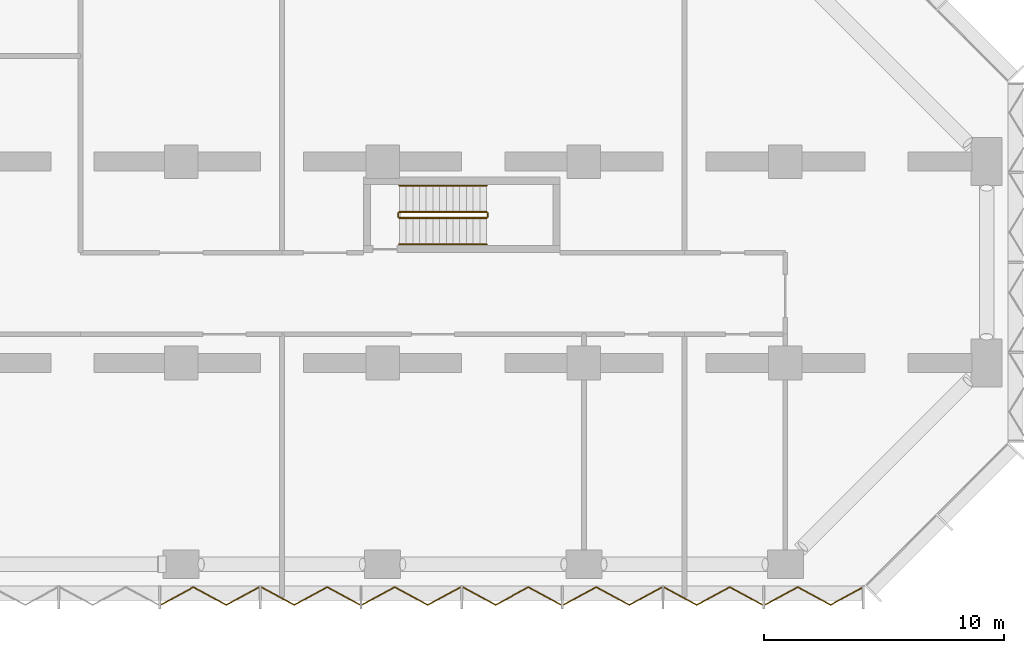
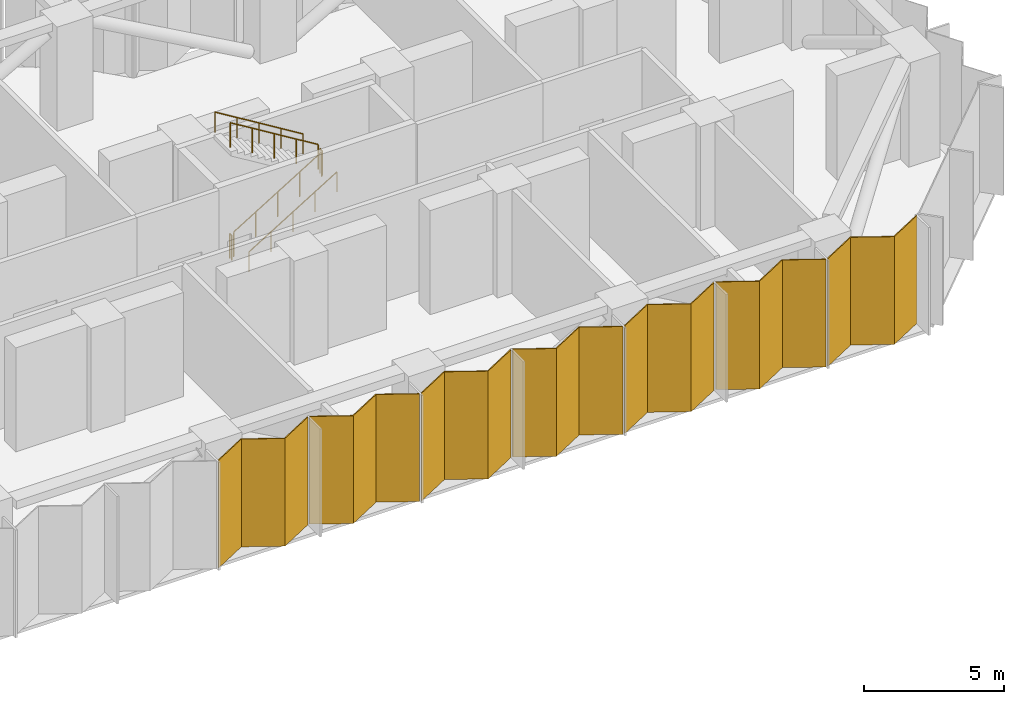
# One storey, part 17 of 18: 7 coverings, 6 railings, 1 element without a shape of its own.
"""IFC4 building model written with IfcOpenShell, lengths in metres."""

from ifc_helpers import new_model, si_unit, direction, frame, origin, origin_2d, place, context, subcontext, project, spatial, polyline, circle, outline, extrude, material, layer, layer_set, type_object, element, aggregate, save


model = new_model("IFC4")

# Units and contexts
model_context = context("Model", 3, precision=1e-05, world=origin(), true_north=direction((0.0, 1.0)))
body_context = subcontext(model_context, "Body", "Model", "MODEL_VIEW")
ifc_project = project(units=[si_unit("LENGTHUNIT", "METRE"), si_unit("AREAUNIT", "SQUARE_METRE"), si_unit("VOLUMEUNIT", "CUBIC_METRE"), si_unit("PLANEANGLEUNIT", "RADIAN"), si_unit("MASSUNIT", "GRAM", prefix="KILO")], contexts=[model_context])

# Site, building, storey
site_placement = place(None, origin())
site = spatial("IfcSite", under=ifc_project, at=site_placement, CompositionType="ELEMENT")
building_placement = place(site_placement, origin())
building = spatial("IfcBuilding", under=site, at=building_placement, Name="Brevane Broadcast Tower", CompositionType="ELEMENT")
storey_placement = place(building_placement, frame((0.0, 0.0, 86.89990234375)))
storey = spatial("IfcBuildingStorey", under=building, at=storey_placement, Name="L20", CompositionType="ELEMENT", Elevation=86.89990234375)

# Curtain wall, coverings
ifc_material_1 = material(Name="Aluminium 6063-T6 bronze anodised", Category="aluminium")
curtain_wall_type = type_object("IfcCurtainWallType", Name="CW-3 curtain wall", PredefinedType="NOTDEFINED", material=ifc_material_1)
curtain_wall_placement = place(storey_placement, origin())
curtain_wall = element("IfcCurtainWall", 1, at=curtain_wall_placement, inside=storey, type_object=curtain_wall_type, Name="CW-3 refuge louvre unit L20 south face", PredefinedType="NOTDEFINED")
ifc_material_2 = material(Name="Aluminium bronze anodised cladding", Category="aluminium")
ifc_layer = layer(ifc_material_2, 0.050048828125)
ifc_layer_set = layer_set([ifc_layer], Name="CW refuge spandrel 50")
covering_type = type_object("IfcCoveringType", Name="CW refuge spandrel 50", PredefinedType="CLADDING", material=ifc_layer_set)
covering_1_placement = place(storey_placement, frame((0.0, 0.0, -0.159912109375)))
covering_1 = element("IfcCovering", 2, at=covering_1_placement, type_object=covering_type, Name="Refuge cladding panel", PredefinedType="CLADDING", context=body_context, shape_type="SweptSolid", body=[
    extrude(outline(polyline([(32.739990234375, -1.671630859375), (32.739990234375, -1.717041015625), (34.11328125, -0.97265625), (35.48681640625, -1.717041015625), (36.860107421875, -0.97265625), (36.860107421875, -0.92724609375), (35.48681640625, -1.671630859375), (34.11328125, -0.92724609375), (32.739990234375, -1.671630859375)])), origin(), (0.0, 0.0, 1.0), 4.7099609375),
])
covering_2_placement = place(storey_placement, frame((0.0, 0.0, -0.159912109375)))
covering_2 = element("IfcCovering", 3, at=covering_2_placement, type_object=covering_type, Name="Refuge cladding panel", PredefinedType="CLADDING", context=body_context, shape_type="SweptSolid", body=[
    extrude(outline(polyline([(36.93994140625, -0.92724609375), (36.93994140625, -0.97265625), (38.313232421875, -1.717041015625), (39.686767578125, -0.97265625), (41.06005859375, -1.717041015625), (41.06005859375, -1.671630859375), (39.686767578125, -0.92724609375), (38.313232421875, -1.671630859375), (36.93994140625, -0.92724609375)])), origin(), (0.0, 0.0, 1.0), 4.7099609375),
])
covering_3_placement = place(storey_placement, frame((0.0, 0.0, -0.159912109375)))
covering_3 = element("IfcCovering", 4, at=covering_3_placement, type_object=covering_type, Name="Refuge cladding panel", PredefinedType="CLADDING", context=body_context, shape_type="SweptSolid", body=[
    extrude(outline(polyline([(41.139892578125, -1.671630859375), (41.139892578125, -1.717041015625), (42.51318359375, -0.97265625), (43.88671875, -1.717041015625), (45.260009765625, -0.97265625), (45.260009765625, -0.92724609375), (43.88671875, -1.671630859375), (42.51318359375, -0.92724609375), (41.139892578125, -1.671630859375)])), origin(), (0.0, 0.0, 1.0), 4.7099609375),
])
covering_4_placement = place(storey_placement, frame((0.0, 0.0, -0.159912109375)))
covering_4 = element("IfcCovering", 5, at=covering_4_placement, type_object=covering_type, Name="Refuge cladding panel", PredefinedType="CLADDING", context=body_context, shape_type="SweptSolid", body=[
    extrude(outline(polyline([(45.340087890625, -0.92724609375), (45.340087890625, -0.97265625), (46.71337890625, -1.717041015625), (48.086669921875, -0.97265625), (49.4599609375, -1.717041015625), (49.4599609375, -1.671630859375), (48.086669921875, -0.92724609375), (46.71337890625, -1.671630859375), (45.340087890625, -0.92724609375)])), origin(), (0.0, 0.0, 1.0), 4.7099609375),
])
covering_5_placement = place(storey_placement, frame((0.0, 0.0, -0.159912109375)))
covering_5 = element("IfcCovering", 6, at=covering_5_placement, type_object=covering_type, Name="Refuge cladding panel", PredefinedType="CLADDING", context=body_context, shape_type="SweptSolid", body=[
    extrude(outline(polyline([(49.5400390625, -1.671630859375), (49.5400390625, -1.717041015625), (50.913330078125, -0.97265625), (52.28662109375, -1.717041015625), (53.659912109375, -0.97265625), (53.659912109375, -0.92724609375), (52.28662109375, -1.671630859375), (50.913330078125, -0.92724609375), (49.5400390625, -1.671630859375)])), origin(), (0.0, 0.0, 1.0), 4.7099609375),
])
covering_6_placement = place(storey_placement, frame((0.0, 0.0, -0.159912109375)))
covering_6 = element("IfcCovering", 7, at=covering_6_placement, type_object=covering_type, Name="Refuge cladding panel", PredefinedType="CLADDING", context=body_context, shape_type="SweptSolid", body=[
    extrude(outline(polyline([(53.739990234375, -0.92724609375), (53.739990234375, -0.97265625), (55.11328125, -1.717041015625), (56.48681640625, -0.97265625), (57.860107421875, -1.717041015625), (57.860107421875, -1.671630859375), (56.48681640625, -0.92724609375), (55.11328125, -1.671630859375), (53.739990234375, -0.92724609375)])), origin(), (0.0, 0.0, 1.0), 4.7099609375),
])
covering_7_placement = place(storey_placement, frame((0.0, 0.0, -0.159912109375)))
covering_7 = element("IfcCovering", 8, at=covering_7_placement, type_object=covering_type, Name="Refuge cladding panel", PredefinedType="CLADDING", context=body_context, shape_type="SweptSolid", body=[
    extrude(outline(polyline([(57.93994140625, -1.671630859375), (57.93994140625, -1.717041015625), (59.313232421875, -0.97265625), (60.686767578125, -1.717041015625), (62.06005859375, -0.97265625), (62.06005859375, -0.92724609375), (60.686767578125, -1.671630859375), (59.313232421875, -0.92724609375), (57.93994140625, -1.671630859375)])), origin(), (0.0, 0.0, 1.0), 4.7099609375),
])
aggregate(curtain_wall, [covering_1, covering_2, covering_3, covering_4, covering_5, covering_6, covering_7])

# Railings
ifc_material_3 = material(Name="Steel S355", Category="steel")
railing_type_1 = type_object("IfcRailingType", Name="Exit stair guard", PredefinedType="GUARDRAIL", material=ifc_material_3)
railing_1_placement = place(storey_placement, frame((42.699951171875, 14.449951171875, 0.171630859375)))
element("IfcRailing", 9, at=railing_1_placement, inside=storey, type_object=railing_type_1, Name="L20 ST-4 stair guard 1", PredefinedType="GUARDRAIL", context=body_context, shape_type="SweptSolid", body=[
    extrude(circle(Radius=0.02392578125, at=origin_2d()), frame((0.0, 0.0, 1.076171875), z_axis=(0.852865859571, 0.0, 0.52213008492), x_axis=(0.0, 1.0, 0.0)), (0.0, 0.0, 1.0), 4.26806640625),
    extrude(circle(Radius=0.02099609375, at=origin_2d()), origin(), (0.0, 0.0, 1.0), 1.052001953125),
    extrude(circle(Radius=0.02099609375, at=origin_2d()), frame((0.91015625, 0.0, 0.55712890625)), (0.0, 0.0, 1.0), 1.052001953125),
    extrude(circle(Radius=0.02099609375, at=origin_2d()), frame((1.820068359375, 0.0, 1.1142578125)), (0.0, 0.0, 1.0), 1.052001953125),
    extrude(circle(Radius=0.02099609375, at=origin_2d()), frame((2.72998046875, 0.0, 1.67138671875)), (0.0, 0.0, 1.0), 1.052001953125),
    extrude(circle(Radius=0.02099609375, at=origin_2d()), frame((3.64013671875, 0.0, 2.228515625)), (0.0, 0.0, 1.0), 1.052001953125),
])
railing_2_placement = place(storey_placement, frame((46.389892578125, 14.5, 2.400146484375)))
element("IfcRailing", 10, at=railing_2_placement, inside=storey, type_object=railing_type_1, Name="L20 ST-4 stair guard 2", PredefinedType="GUARDRAIL", context=body_context, shape_type="SweptSolid", body=[
    extrude(circle(Radius=0.02392578125, at=origin_2d()), frame((0.0, 0.0, 1.076171875), z_axis=(0.0, 1.0, 0.0), x_axis=(-1.0, 0.0, 0.0)), (0.0, 0.0, 1.0), 0.14990234375),
    extrude(circle(Radius=0.02099609375, at=origin_2d()), origin(), (0.0, 0.0, 1.0), 1.052001953125),
    extrude(circle(Radius=0.02099609375, at=origin_2d()), frame((0.0, 0.14990234375, 0.0)), (0.0, 0.0, 1.0), 1.052001953125),
])
railing_3_placement = place(storey_placement, frame((46.340087890625, 14.699951171875, 2.571533203125)))
element("IfcRailing", 11, at=railing_3_placement, inside=storey, type_object=railing_type_1, Name="L20 ST-4 stair guard 3", PredefinedType="GUARDRAIL", context=body_context, shape_type="SweptSolid", body=[
    extrude(circle(Radius=0.02392578125, at=origin_2d()), frame((0.0, 0.0, 1.076171875), z_axis=(-0.852865859571, 0.0, 0.52213008492), x_axis=(0.0, -1.0, 0.0)), (0.0, 0.0, 1.0), 4.26806640625),
    extrude(circle(Radius=0.02099609375, at=origin_2d()), origin(), (0.0, 0.0, 1.0), 1.052001953125),
    extrude(circle(Radius=0.02099609375, at=origin_2d()), frame((-0.91015625, 0.0, 0.55712890625)), (0.0, 0.0, 1.0), 1.052001953125),
    extrude(circle(Radius=0.02099609375, at=origin_2d()), frame((-1.820068359375, 0.0, 1.1142578125)), (0.0, 0.0, 1.0), 1.052001953125),
    extrude(circle(Radius=0.02099609375, at=origin_2d()), frame((-2.72998046875, 0.0, 1.67138671875)), (0.0, 0.0, 1.0), 1.052001953125),
    extrude(circle(Radius=0.02099609375, at=origin_2d()), frame((-3.64013671875, 0.0, 2.228515625)), (0.0, 0.0, 1.0), 1.052001953125),
])
railing_4_placement = place(storey_placement, frame((42.64990234375, 14.5, 0.0)))
element("IfcRailing", 12, at=railing_4_placement, inside=storey, type_object=railing_type_1, Name="L20 ST-4 stair guard 4", PredefinedType="GUARDRAIL", context=body_context, shape_type="SweptSolid", body=[
    extrude(circle(Radius=0.02392578125, at=origin_2d()), frame((0.0, 0.0, 1.076171875), z_axis=(0.0, 1.0, 0.0), x_axis=(-1.0, 0.0, 0.0)), (0.0, 0.0, 1.0), 0.14990234375),
    extrude(circle(Radius=0.02099609375, at=origin_2d()), origin(), (0.0, 0.0, 1.0), 1.052001953125),
    extrude(circle(Radius=0.02099609375, at=origin_2d()), frame((0.0, 0.14990234375, 0.0)), (0.0, 0.0, 1.0), 1.052001953125),
])
railing_type_2 = type_object("IfcRailingType", Name="Exit stair handrail", PredefinedType="HANDRAIL", material=ifc_material_3)
railing_5_placement = place(storey_placement, frame((42.699951171875, 13.35009765625, 0.171630859375)))
element("IfcRailing", 13, at=railing_5_placement, inside=storey, type_object=railing_type_2, Name="L20 ST-4 stair handrail 1", PredefinedType="HANDRAIL", context=body_context, shape_type="SweptSolid", body=[
    extrude(circle(Radius=0.02392578125, at=origin_2d()), frame((0.0, 0.0, 0.8759765625), z_axis=(0.852865859571, 0.0, 0.52213008492), x_axis=(0.0, 1.0, 0.0)), (0.0, 0.0, 1.0), 4.26806640625),
    extrude(circle(Radius=0.02099609375, at=origin_2d()), origin(), (0.0, 0.0, 1.0), 0.851806640625),
    extrude(circle(Radius=0.02099609375, at=origin_2d()), frame((0.91015625, 0.0, 0.55712890625)), (0.0, 0.0, 1.0), 0.851806640625),
    extrude(circle(Radius=0.02099609375, at=origin_2d()), frame((1.820068359375, 0.0, 1.1142578125)), (0.0, 0.0, 1.0), 0.851806640625),
    extrude(circle(Radius=0.02099609375, at=origin_2d()), frame((2.72998046875, 0.0, 1.67138671875)), (0.0, 0.0, 1.0), 0.851806640625),
    extrude(circle(Radius=0.02099609375, at=origin_2d()), frame((3.64013671875, 0.0, 2.228515625)), (0.0, 0.0, 1.0), 0.851806640625),
])
railing_6_placement = place(storey_placement, frame((46.340087890625, 15.800048828125, 2.571533203125)))
element("IfcRailing", 14, at=railing_6_placement, inside=storey, type_object=railing_type_2, Name="L20 ST-4 stair handrail 2", PredefinedType="HANDRAIL", context=body_context, shape_type="SweptSolid", body=[
    extrude(circle(Radius=0.02392578125, at=origin_2d()), frame((0.0, 0.0, 0.8759765625), z_axis=(-0.852865859571, 0.0, 0.52213008492), x_axis=(0.0, -1.0, 0.0)), (0.0, 0.0, 1.0), 4.26806640625),
    extrude(circle(Radius=0.02099609375, at=origin_2d()), origin(), (0.0, 0.0, 1.0), 0.851806640625),
    extrude(circle(Radius=0.02099609375, at=origin_2d()), frame((-0.91015625, 0.0, 0.55712890625)), (0.0, 0.0, 1.0), 0.851806640625),
    extrude(circle(Radius=0.02099609375, at=origin_2d()), frame((-1.820068359375, 0.0, 1.1142578125)), (0.0, 0.0, 1.0), 0.851806640625),
    extrude(circle(Radius=0.02099609375, at=origin_2d()), frame((-2.72998046875, 0.0, 1.67138671875)), (0.0, 0.0, 1.0), 0.851806640625),
    extrude(circle(Radius=0.02099609375, at=origin_2d()), frame((-3.64013671875, 0.0, 2.228515625)), (0.0, 0.0, 1.0), 0.851806640625),
])

save(model, "model.ifc")
